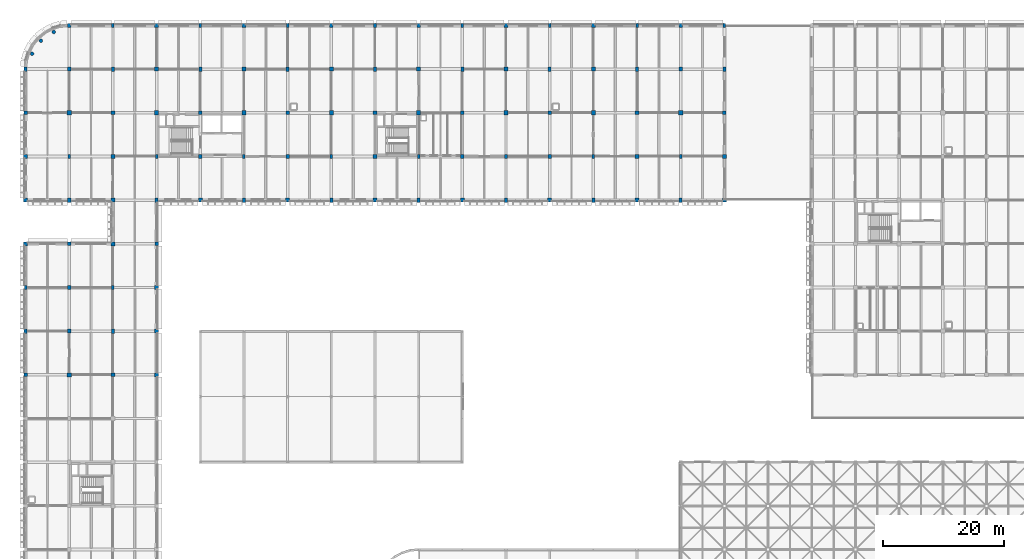
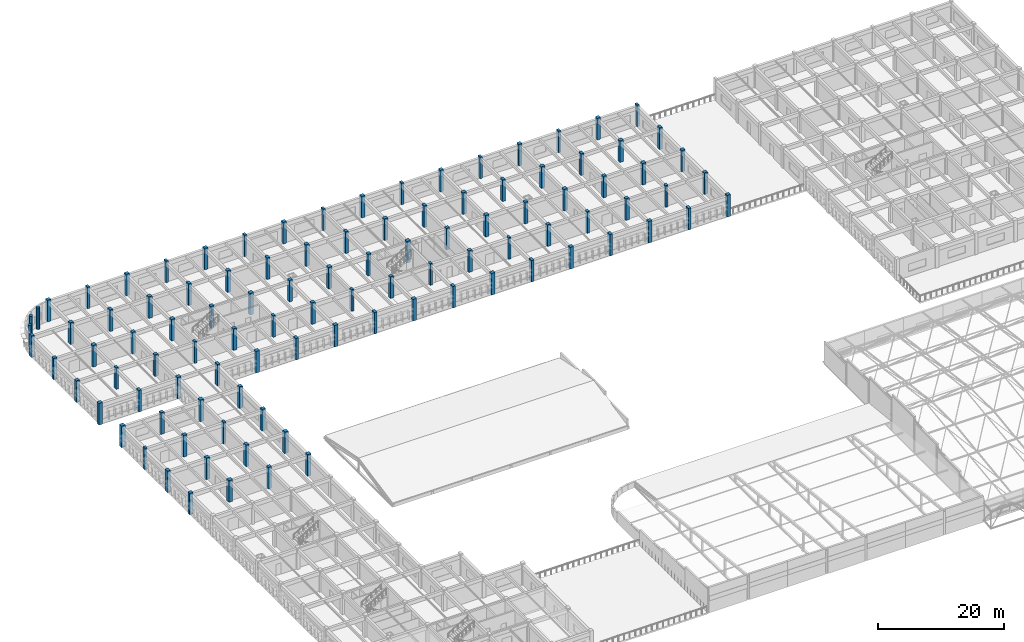
# One storey, part 6 of 103: 103 columns.
"""IFC4 building model written with IfcOpenShell, lengths in metres."""

from ifc_helpers import new_model, si_unit, direction, frame, origin, origin_2d, place, context, subcontext, project, spatial, rectangle, circle, extrude, material, material_profile, profile_set, type_object, element, save


model = new_model("IFC4")

# Units and contexts
model_context = context("Model", 3, precision=1e-05, world=origin(), true_north=direction((0.0, 1.0)))
body_context = subcontext(model_context, "Body", "Model", "MODEL_VIEW")
ifc_project = project(units=[si_unit("LENGTHUNIT", "METRE"), si_unit("AREAUNIT", "SQUARE_METRE"), si_unit("VOLUMEUNIT", "CUBIC_METRE"), si_unit("PLANEANGLEUNIT", "RADIAN"), si_unit("MASSUNIT", "GRAM", prefix="KILO")], contexts=[model_context])

# Site, building, storey
site_placement = place(None, origin())
site = spatial("IfcSite", under=ifc_project, at=site_placement, CompositionType="ELEMENT")
building_placement = place(site_placement, origin())
building = spatial("IfcBuilding", under=site, at=building_placement, Name="Thalmaran Polytechnic", CompositionType="ELEMENT")
storey_placement = place(building_placement, frame((0.0, 0.0, 14.39990234375)))
storey = spatial("IfcBuildingStorey", under=building, at=storey_placement, Name="L03", CompositionType="ELEMENT", Elevation=14.39990234375)

# Columns
ifc_material = material(Name="Concrete C40/50", Category="concrete")
ifc_material_profile_1 = material_profile(ifc_material, rectangle(XDim=0.64990234375, YDim=0.64990234375, at=origin_2d()), Name="RC 650x650")
ifc_profile_set_1 = profile_set([ifc_material_profile_1], Name="Concrete C40/50")
column_type_1 = type_object("IfcColumnType", Name="COL-C06", PredefinedType="COLUMN", material=ifc_profile_set_1)
for number, where, z_axis, x_axis, name in (
    (1, (0.0, 93.60009765625, 0.0), (0.0, 0.0, 1.0), (1.0, 0.0, 0.0), "Column C06 L03 (0,13)"),
    (2, (7.199951171875, 72.0, 0.0), (0.0, 0.0, 1.0), (1.0, 0.0, 0.0), "Column C06 L03 (1,10)"),
    (3, (7.199951171875, 115.199951171875, 0.0), (0.0, 0.0, 1.0), (1.0, 0.0, 0.0), "Column C06 L03 (1,16)"),
    (4, (14.39990234375, 93.60009765625, 0.0), (0.0, 0.0, 1.0), (1.0, 0.0, 0.0), "Column C06 L03 (2,13)"),
    (5, (21.60009765625, 72.0, 0.0), (0.0, 0.0, 1.0), (1.0, 0.0, 0.0), "Column C06 L03 (3,10)"),
    (6, (21.60009765625, 115.199951171875, 0.0), (0.0, 0.0, 1.0), (1.0, 0.0, 0.0), "Column C06 L03 (3,16)"),
    (7, (28.800048828125, 93.60009765625, 0.0), (0.0, 0.0, 1.0), (1.0, 0.0, 0.0), "Column C06 L03 (4,13)"),
    (8, (36.0, 115.199951171875, 0.0), (0.0, 0.0, 1.0), (1.0, 0.0, 0.0), "Column C06 L03 (5,16)"),
    (9, (43.199951171875, 93.60009765625, 0.0), (0.0, 0.0, 1.0), (1.0, 0.0, 0.0), "Column C06 L03 (6,13)"),
    (10, (50.39990234375, 115.199951171875, 0.0), (0.0, 0.0, 1.0), (1.0, 0.0, 0.0), "Column C06 L03 (7,16)"),
    (11, (57.60009765625, 93.60009765625, 0.0), (0.0, 0.0, 1.0), (1.0, 0.0, 0.0), "Column C06 L03 (8,13)"),
    (12, (64.800048828125, 115.199951171875, 0.0), (0.0, 0.0, 1.0), (1.0, 0.0, 0.0), "Column C06 L03 (9,16)"),
    (13, (72.0, 93.60009765625, 0.0), (0.0, 0.0, 1.0), (1.0, 0.0, 0.0), "Column C06 L03 (10,13)"),
    (14, (79.199951171875, 115.199951171875, 0.0), (0.0, 0.0, 1.0), (1.0, 0.0, 0.0), "Column C06 L03 (11,16)"),
    (15, (86.39990234375, 93.60009765625, 0.0), (0.0, 0.0, 1.0), (1.0, 0.0, 0.0), "Column C06 L03 (12,13)"),
    (16, (93.60009765625, 115.199951171875, 0.0), (0.0, 0.0, 1.0), (1.0, 0.0, 0.0), "Column C06 L03 (13,16)"),
    (17, (100.800048828125, 93.60009765625, 0.0), (0.0, 0.0, 1.0), (1.0, 0.0, 0.0), "Column C06 L03 (14,13)"),
    (18, (108.0, 115.199951171875, 0.0), (0.0, 0.0, 1.0), (1.0, 0.0, 0.0), "Column C06 L03 (15,16)"),
    (19, (115.199951171875, 93.60009765625, 0.0), (0.0, 0.0, 1.0), (1.0, 0.0, 0.0), "Column C06 L03 (16,13)"),
):
    element("IfcColumn", number, at=place(storey_placement, frame(where, z_axis=z_axis, x_axis=x_axis)), inside=storey, type_object=column_type_1, Name=name, PredefinedType="COLUMN", context=body_context, shape_type="SweptSolid", body=[
        extrude(rectangle(XDim=0.64990234375, YDim=0.64990234375, at=origin_2d()), origin(), (0.0, 0.0, 1.0), 4.2001953125),
    ])
ifc_material_profile_2 = material_profile(ifc_material, rectangle(XDim=0.60009765625, YDim=0.60009765625, at=origin_2d()), Name="RC 600x600")
ifc_profile_set_2 = profile_set([ifc_material_profile_2], Name="Concrete C40/50")
column_type_2 = type_object("IfcColumnType", Name="COL-C07", PredefinedType="COLUMN", material=ifc_profile_set_2)
for number, where, z_axis, x_axis, name in (
    (20, (0.0, 64.800048828125, 0.0), (0.0, 0.0, 1.0), (1.0, 0.0, 0.0), "Column C07 L03 (0,9)"),
    (21, (0.0, 108.0, 0.0), (0.0, 0.0, 1.0), (1.0, 0.0, 0.0), "Column C07 L03 (0,15)"),
    (22, (7.199951171875, 86.39990234375, 0.0), (0.0, 0.0, 1.0), (1.0, 0.0, 0.0), "Column C07 L03 (1,12)"),
    (23, (14.39990234375, 64.800048828125, 0.0), (0.0, 0.0, 1.0), (1.0, 0.0, 0.0), "Column C07 L03 (2,9)"),
    (24, (14.39990234375, 108.0, 0.0), (0.0, 0.0, 1.0), (1.0, 0.0, 0.0), "Column C07 L03 (2,15)"),
    (25, (21.60009765625, 86.39990234375, 0.0), (0.0, 0.0, 1.0), (1.0, 0.0, 0.0), "Column C07 L03 (3,12)"),
    (26, (28.800048828125, 108.0, 0.0), (0.0, 0.0, 1.0), (1.0, 0.0, 0.0), "Column C07 L03 (4,15)"),
    (27, (43.199951171875, 108.0, 0.0), (0.0, 0.0, 1.0), (1.0, 0.0, 0.0), "Column C07 L03 (6,15)"),
    (28, (57.60009765625, 108.0, 0.0), (0.0, 0.0, 1.0), (1.0, 0.0, 0.0), "Column C07 L03 (8,15)"),
    (29, (72.0, 108.0, 0.0), (0.0, 0.0, 1.0), (1.0, 0.0, 0.0), "Column C07 L03 (10,15)"),
    (30, (86.39990234375, 108.0, 0.0), (0.0, 0.0, 1.0), (1.0, 0.0, 0.0), "Column C07 L03 (12,15)"),
    (31, (100.800048828125, 108.0, 0.0), (0.0, 0.0, 1.0), (1.0, 0.0, 0.0), "Column C07 L03 (14,15)"),
    (32, (115.199951171875, 108.0, 0.0), (0.0, 0.0, 1.0), (1.0, 0.0, 0.0), "Column C07 L03 (16,15)"),
):
    element("IfcColumn", number, at=place(storey_placement, frame(where, z_axis=z_axis, x_axis=x_axis)), inside=storey, type_object=column_type_2, Name=name, PredefinedType="COLUMN", context=body_context, shape_type="SweptSolid", body=[
        extrude(rectangle(XDim=0.60009765625, YDim=0.60009765625, at=origin_2d()), origin(), (0.0, 0.0, 1.0), 4.2001953125),
    ])
ifc_material_profile_3 = material_profile(ifc_material, rectangle(XDim=0.5, YDim=0.75, at=origin_2d()), Name="RC 500x750")
ifc_profile_set_3 = profile_set([ifc_material_profile_3], Name="Concrete C40/50")
column_type_3 = type_object("IfcColumnType", Name="COL-C13", PredefinedType="COLUMN", material=ifc_profile_set_3)
for number, where, z_axis, x_axis, name in (
    (33, (0.0, 72.0, 0.0), (0.0, 0.0, 1.0), (1.0, 0.0, 0.0), "Column C13 L03 (0,10)"),
    (34, (0.0, 115.199951171875, 0.0), (0.0, 0.0, 1.0), (1.0, 0.0, 0.0), "Column C13 L03 (0,16)"),
    (35, (7.199951171875, 93.60009765625, 0.0), (0.0, 0.0, 1.0), (1.0, 0.0, 0.0), "Column C13 L03 (1,13)"),
    (36, (14.39990234375, 72.0, 0.0), (0.0, 0.0, 1.0), (1.0, 0.0, 0.0), "Column C13 L03 (2,10)"),
    (37, (14.39990234375, 115.199951171875, 0.0), (0.0, 0.0, 1.0), (1.0, 0.0, 0.0), "Column C13 L03 (2,16)"),
    (38, (21.60009765625, 93.60009765625, 0.0), (0.0, 0.0, 1.0), (1.0, 0.0, 0.0), "Column C13 L03 (3,13)"),
    (39, (28.800048828125, 115.199951171875, 0.0), (0.0, 0.0, 1.0), (1.0, 0.0, 0.0), "Column C13 L03 (4,16)"),
    (40, (36.0, 93.60009765625, 0.0), (0.0, 0.0, 1.0), (1.0, 0.0, 0.0), "Column C13 L03 (5,13)"),
    (41, (43.199951171875, 115.199951171875, 0.0), (0.0, 0.0, 1.0), (1.0, 0.0, 0.0), "Column C13 L03 (6,16)"),
    (42, (50.39990234375, 93.60009765625, 0.0), (0.0, 0.0, 1.0), (1.0, 0.0, 0.0), "Column C13 L03 (7,13)"),
    (43, (57.60009765625, 115.199951171875, 0.0), (0.0, 0.0, 1.0), (1.0, 0.0, 0.0), "Column C13 L03 (8,16)"),
    (44, (64.800048828125, 93.60009765625, 0.0), (0.0, 0.0, 1.0), (1.0, 0.0, 0.0), "Column C13 L03 (9,13)"),
    (45, (72.0, 115.199951171875, 0.0), (0.0, 0.0, 1.0), (1.0, 0.0, 0.0), "Column C13 L03 (10,16)"),
    (46, (79.199951171875, 93.60009765625, 0.0), (0.0, 0.0, 1.0), (1.0, 0.0, 0.0), "Column C13 L03 (11,13)"),
    (47, (86.39990234375, 115.199951171875, 0.0), (0.0, 0.0, 1.0), (1.0, 0.0, 0.0), "Column C13 L03 (12,16)"),
    (48, (93.60009765625, 93.60009765625, 0.0), (0.0, 0.0, 1.0), (1.0, 0.0, 0.0), "Column C13 L03 (13,13)"),
    (49, (100.800048828125, 115.199951171875, 0.0), (0.0, 0.0, 1.0), (1.0, 0.0, 0.0), "Column C13 L03 (14,16)"),
    (50, (108.0, 93.60009765625, 0.0), (0.0, 0.0, 1.0), (1.0, 0.0, 0.0), "Column C13 L03 (15,13)"),
    (51, (115.199951171875, 115.199951171875, 0.0), (0.0, 0.0, 1.0), (1.0, 0.0, 0.0), "Column C13 L03 (16,16)"),
):
    element("IfcColumn", number, at=place(storey_placement, frame(where, z_axis=z_axis, x_axis=x_axis)), inside=storey, type_object=column_type_3, Name=name, PredefinedType="COLUMN", context=body_context, shape_type="SweptSolid", body=[
        extrude(rectangle(XDim=0.5, YDim=0.75, at=origin_2d()), origin(), (0.0, 0.0, 1.0), 4.2001953125),
    ])
ifc_material_profile_4 = material_profile(ifc_material, circle(Radius=0.300048828125, at=origin_2d()), Name="RC 600 DIA")
ifc_profile_set_4 = profile_set([ifc_material_profile_4], Name="Concrete C40/50")
column_type_4 = type_object("IfcColumnType", Name="COL-C16", PredefinedType="COLUMN", material=ifc_profile_set_4)
for number, where, z_axis, x_axis, name in (
    (52, (4.666748046875, 121.316162109375, 0.0), (0.0, 0.0, 1.0), (1.0, 0.0, 0.0), "Prow Column NWP1 L03"),
    (53, (2.51904296875, 119.881103515625, 0.0), (0.0, 0.0, 1.0), (1.0, 0.0, 0.0), "Prow Column NWP2 L03"),
    (54, (1.083984375, 117.7333984375, 0.0), (0.0, 0.0, 1.0), (1.0, 0.0, 0.0), "Prow Column NWP3 L03"),
):
    element("IfcColumn", number, at=place(storey_placement, frame(where, z_axis=z_axis, x_axis=x_axis)), inside=storey, type_object=column_type_4, Name=name, PredefinedType="COLUMN", context=body_context, shape_type="SweptSolid", body=[
        extrude(circle(Radius=0.300048828125, at=origin_2d()), origin(), (0.0, 0.0, 1.0), 4.2001953125),
    ])
ifc_material_profile_5 = material_profile(ifc_material, rectangle(XDim=0.679931640625, YDim=0.679931640625, at=origin_2d()), Name="RC 680x680")
ifc_profile_set_5 = profile_set([ifc_material_profile_5], Name="Concrete C40/50")
column_type_5 = type_object("IfcColumnType", Name="COL-ZC05", PredefinedType="COLUMN", material=ifc_profile_set_5)
for number, where, z_axis, x_axis, name in (
    (55, (0.0, 86.39990234375, 0.0), (0.0, 0.0, 1.0), (1.0, 0.0, 0.0), "Column ZC05 L03 (0,12)"),
    (56, (7.199951171875, 64.800048828125, 0.0), (0.0, 0.0, 1.0), (1.0, 0.0, 0.0), "Column ZC05 L03 (1,9)"),
    (57, (7.199951171875, 108.0, 0.0), (0.0, 0.0, 1.0), (1.0, 0.0, 0.0), "Column ZC05 L03 (1,15)"),
    (58, (14.39990234375, 86.39990234375, 0.0), (0.0, 0.0, 1.0), (1.0, 0.0, 0.0), "Column ZC05 L03 (2,12)"),
    (59, (21.60009765625, 64.800048828125, 0.0), (0.0, 0.0, 1.0), (1.0, 0.0, 0.0), "Column ZC05 L03 (3,9)"),
    (60, (21.60009765625, 108.0, 0.0), (0.0, 0.0, 1.0), (1.0, 0.0, 0.0), "Column ZC05 L03 (3,15)"),
    (61, (36.0, 108.0, 0.0), (0.0, 0.0, 1.0), (1.0, 0.0, 0.0), "Column ZC05 L03 (5,15)"),
    (62, (50.39990234375, 108.0, 0.0), (0.0, 0.0, 1.0), (1.0, 0.0, 0.0), "Column ZC05 L03 (7,15)"),
    (63, (64.800048828125, 108.0, 0.0), (0.0, 0.0, 1.0), (1.0, 0.0, 0.0), "Column ZC05 L03 (9,15)"),
    (64, (79.199951171875, 108.0, 0.0), (0.0, 0.0, 1.0), (1.0, 0.0, 0.0), "Column ZC05 L03 (11,15)"),
    (65, (93.60009765625, 108.0, 0.0), (0.0, 0.0, 1.0), (1.0, 0.0, 0.0), "Column ZC05 L03 (13,15)"),
    (66, (108.0, 108.0, 0.0), (0.0, 0.0, 1.0), (1.0, 0.0, 0.0), "Column ZC05 L03 (15,15)"),
):
    element("IfcColumn", number, at=place(storey_placement, frame(where, z_axis=z_axis, x_axis=x_axis)), inside=storey, type_object=column_type_5, Name=name, PredefinedType="COLUMN", context=body_context, shape_type="SweptSolid", body=[
        extrude(rectangle(XDim=0.679931640625, YDim=0.679931640625, at=origin_2d()), origin(), (0.0, 0.0, 1.0), 4.2001953125),
    ])
ifc_material_profile_6 = material_profile(ifc_material, rectangle(XDim=0.6201171875, YDim=0.6201171875, at=origin_2d()), Name="RC 620x620")
ifc_profile_set_6 = profile_set([ifc_material_profile_6], Name="Concrete C40/50")
column_type_6 = type_object("IfcColumnType", Name="COL-ZC06", PredefinedType="COLUMN", material=ifc_profile_set_6)
for number, where, z_axis, x_axis, name in (
    (67, (0.0, 100.800048828125, 0.0), (0.0, 0.0, 1.0), (1.0, 0.0, 0.0), "Column ZC06 L03 (0,14)"),
    (68, (7.199951171875, 79.199951171875, 0.0), (0.0, 0.0, 1.0), (1.0, 0.0, 0.0), "Column ZC06 L03 (1,11)"),
    (69, (7.199951171875, 122.39990234375, 0.0), (0.0, 0.0, 1.0), (1.0, 0.0, 0.0), "Column ZC06 L03 (1,17)"),
    (70, (14.39990234375, 100.800048828125, 0.0), (0.0, 0.0, 1.0), (1.0, 0.0, 0.0), "Column ZC06 L03 (2,14)"),
    (71, (21.60009765625, 79.199951171875, 0.0), (0.0, 0.0, 1.0), (1.0, 0.0, 0.0), "Column ZC06 L03 (3,11)"),
    (72, (21.60009765625, 122.39990234375, 0.0), (0.0, 0.0, 1.0), (1.0, 0.0, 0.0), "Column ZC06 L03 (3,17)"),
    (73, (28.800048828125, 100.800048828125, 0.0), (0.0, 0.0, 1.0), (1.0, 0.0, 0.0), "Column ZC06 L03 (4,14)"),
    (74, (36.0, 122.39990234375, 0.0), (0.0, 0.0, 1.0), (1.0, 0.0, 0.0), "Column ZC06 L03 (5,17)"),
    (75, (43.199951171875, 100.800048828125, 0.0), (0.0, 0.0, 1.0), (1.0, 0.0, 0.0), "Column ZC06 L03 (6,14)"),
    (76, (50.39990234375, 122.39990234375, 0.0), (0.0, 0.0, 1.0), (1.0, 0.0, 0.0), "Column ZC06 L03 (7,17)"),
    (77, (57.60009765625, 100.800048828125, 0.0), (0.0, 0.0, 1.0), (1.0, 0.0, 0.0), "Column ZC06 L03 (8,14)"),
    (78, (64.800048828125, 122.39990234375, 0.0), (0.0, 0.0, 1.0), (1.0, 0.0, 0.0), "Column ZC06 L03 (9,17)"),
    (79, (72.0, 100.800048828125, 0.0), (0.0, 0.0, 1.0), (1.0, 0.0, 0.0), "Column ZC06 L03 (10,14)"),
    (80, (79.199951171875, 122.39990234375, 0.0), (0.0, 0.0, 1.0), (1.0, 0.0, 0.0), "Column ZC06 L03 (11,17)"),
    (81, (86.39990234375, 100.800048828125, 0.0), (0.0, 0.0, 1.0), (1.0, 0.0, 0.0), "Column ZC06 L03 (12,14)"),
    (82, (93.60009765625, 122.39990234375, 0.0), (0.0, 0.0, 1.0), (1.0, 0.0, 0.0), "Column ZC06 L03 (13,17)"),
    (83, (100.800048828125, 100.800048828125, 0.0), (0.0, 0.0, 1.0), (1.0, 0.0, 0.0), "Column ZC06 L03 (14,14)"),
    (84, (108.0, 122.39990234375, 0.0), (0.0, 0.0, 1.0), (1.0, 0.0, 0.0), "Column ZC06 L03 (15,17)"),
    (85, (115.199951171875, 100.800048828125, 0.0), (0.0, 0.0, 1.0), (1.0, 0.0, 0.0), "Column ZC06 L03 (16,14)"),
):
    element("IfcColumn", number, at=place(storey_placement, frame(where, z_axis=z_axis, x_axis=x_axis)), inside=storey, type_object=column_type_6, Name=name, PredefinedType="COLUMN", context=body_context, shape_type="SweptSolid", body=[
        extrude(rectangle(XDim=0.6201171875, YDim=0.6201171875, at=origin_2d()), origin(), (0.0, 0.0, 1.0), 4.2001953125),
    ])
ifc_material_profile_7 = material_profile(ifc_material, rectangle(XDim=0.419921875, YDim=0.639892578125, at=origin_2d()), Name="RC 420x640")
ifc_profile_set_7 = profile_set([ifc_material_profile_7], Name="Concrete C40/50")
column_type_7 = type_object("IfcColumnType", Name="COL-ZC10", PredefinedType="PILASTER", material=ifc_profile_set_7)
for number, where, z_axis, x_axis, name in (
    (86, (0.0, 79.199951171875, 0.0), (0.0, 0.0, 1.0), (1.0, 0.0, 0.0), "Column ZPL1 L03 (0,11)"),
    (87, (7.199951171875, 100.800048828125, 0.0), (0.0, 0.0, 1.0), (1.0, 0.0, 0.0), "Column ZPL1 L03 (1,14)"),
    (88, (14.39990234375, 79.199951171875, 0.0), (0.0, 0.0, 1.0), (1.0, 0.0, 0.0), "Column ZPL1 L03 (2,11)"),
    (89, (14.39990234375, 122.39990234375, 0.0), (0.0, 0.0, 1.0), (1.0, 0.0, 0.0), "Column ZPL1 L03 (2,17)"),
    (90, (21.60009765625, 100.800048828125, 0.0), (0.0, 0.0, 1.0), (1.0, 0.0, 0.0), "Column ZPL1 L03 (3,14)"),
    (91, (28.800048828125, 122.39990234375, 0.0), (0.0, 0.0, 1.0), (1.0, 0.0, 0.0), "Column ZPL1 L03 (4,17)"),
    (92, (36.0, 100.800048828125, 0.0), (0.0, 0.0, 1.0), (1.0, 0.0, 0.0), "Column ZPL1 L03 (5,14)"),
    (93, (43.199951171875, 122.39990234375, 0.0), (0.0, 0.0, 1.0), (1.0, 0.0, 0.0), "Column ZPL1 L03 (6,17)"),
    (94, (50.39990234375, 100.800048828125, 0.0), (0.0, 0.0, 1.0), (1.0, 0.0, 0.0), "Column ZPL1 L03 (7,14)"),
    (95, (57.60009765625, 122.39990234375, 0.0), (0.0, 0.0, 1.0), (1.0, 0.0, 0.0), "Column ZPL1 L03 (8,17)"),
    (96, (64.800048828125, 100.800048828125, 0.0), (0.0, 0.0, 1.0), (1.0, 0.0, 0.0), "Column ZPL1 L03 (9,14)"),
    (97, (72.0, 122.39990234375, 0.0), (0.0, 0.0, 1.0), (1.0, 0.0, 0.0), "Column ZPL1 L03 (10,17)"),
    (98, (79.199951171875, 100.800048828125, 0.0), (0.0, 0.0, 1.0), (1.0, 0.0, 0.0), "Column ZPL1 L03 (11,14)"),
    (99, (86.39990234375, 122.39990234375, 0.0), (0.0, 0.0, 1.0), (1.0, 0.0, 0.0), "Column ZPL1 L03 (12,17)"),
    (100, (93.60009765625, 100.800048828125, 0.0), (0.0, 0.0, 1.0), (1.0, 0.0, 0.0), "Column ZPL1 L03 (13,14)"),
    (101, (100.800048828125, 122.39990234375, 0.0), (0.0, 0.0, 1.0), (1.0, 0.0, 0.0), "Column ZPL1 L03 (14,17)"),
    (102, (108.0, 100.800048828125, 0.0), (0.0, 0.0, 1.0), (1.0, 0.0, 0.0), "Column ZPL1 L03 (15,14)"),
    (103, (115.199951171875, 122.39990234375, 0.0), (0.0, 0.0, 1.0), (1.0, 0.0, 0.0), "Column ZPL1 L03 (16,17)"),
):
    element("IfcColumn", number, at=place(storey_placement, frame(where, z_axis=z_axis, x_axis=x_axis)), inside=storey, type_object=column_type_7, Name=name, PredefinedType="PILASTER", context=body_context, shape_type="SweptSolid", body=[
        extrude(rectangle(XDim=0.419921875, YDim=0.639892578125, at=origin_2d()), origin(), (0.0, 0.0, 1.0), 4.2001953125),
    ])

save(model, "model.ifc")
